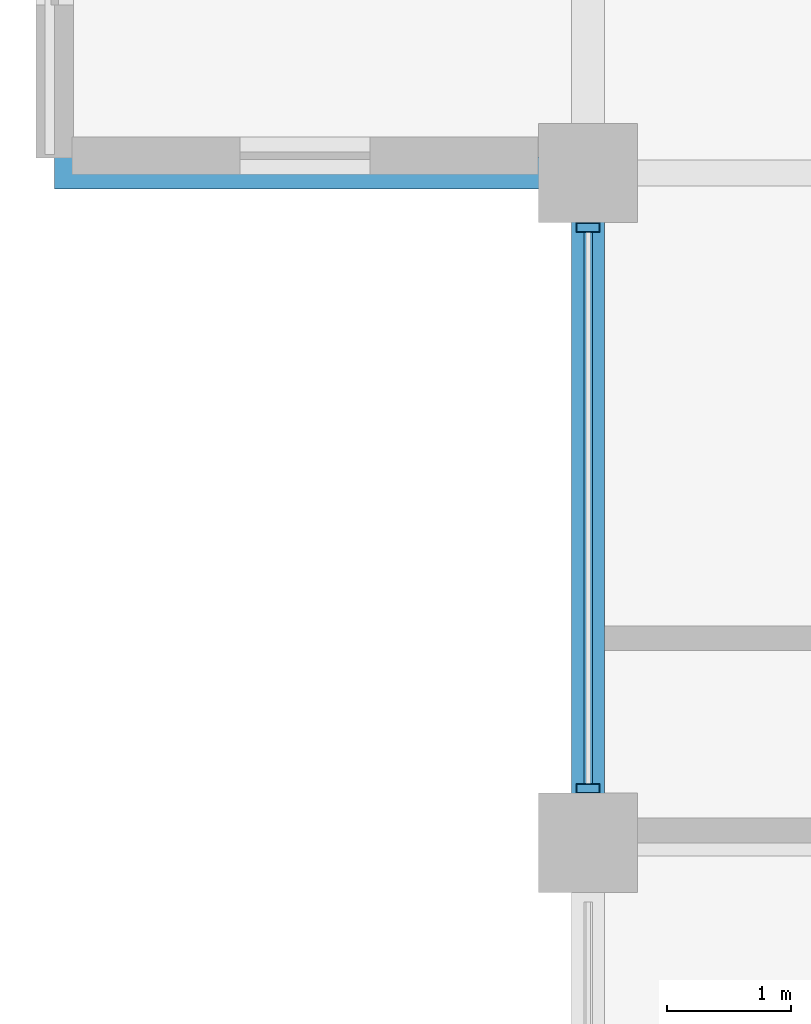
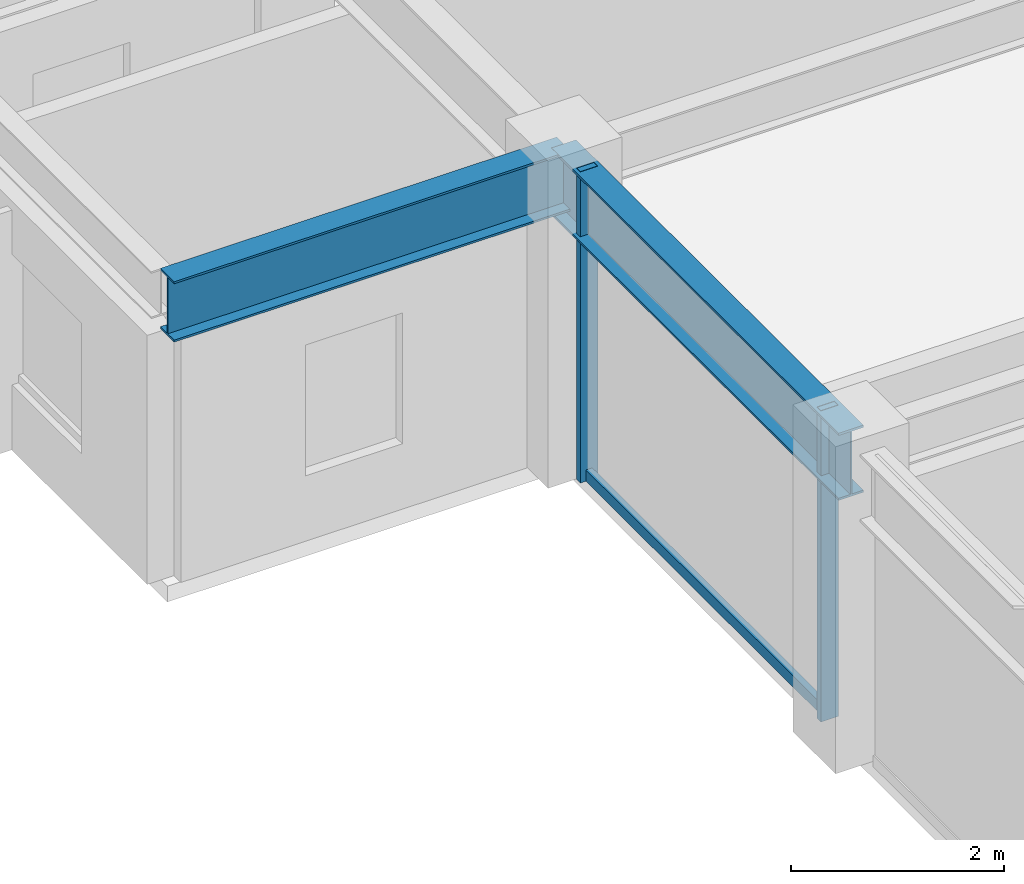
# One storey, part 5 of 28: 3 members, 2 beams, 1 element without a shape of its own.
"""IFC4 building model written with IfcOpenShell, lengths in metres."""

from ifc_helpers import new_model, si_unit, direction, frame, origin, origin_2d, place, context, subcontext, project, spatial, hollow_rectangle, i_section, extrude, material, layer, layer_set, material_profile, profile_set, type_object, element, aggregate, save


model = new_model("IFC4")

# Units and contexts
model_context = context("Model", 3, precision=1e-05, world=origin(), true_north=direction((0.0, 1.0)))
body_context = subcontext(model_context, "Body", "Model", "MODEL_VIEW")
ifc_project = project(units=[si_unit("LENGTHUNIT", "METRE"), si_unit("AREAUNIT", "SQUARE_METRE"), si_unit("VOLUMEUNIT", "CUBIC_METRE"), si_unit("PLANEANGLEUNIT", "RADIAN"), si_unit("MASSUNIT", "GRAM", prefix="KILO")], contexts=[model_context])

# Site, building, storey
site_placement = place(None, origin())
site = spatial("IfcSite", under=ifc_project, at=site_placement, CompositionType="ELEMENT")
building_placement = place(site_placement, origin())
building = spatial("IfcBuilding", under=site, at=building_placement, Name="Surkhivell Harbour Commons", CompositionType="ELEMENT")
storey_placement = place(building_placement, frame((0.0, 0.0, 242.25)))
storey = spatial("IfcBuildingStorey", under=building, at=storey_placement, Name="L63", CompositionType="ELEMENT", Elevation=242.25)

# Beams
ifc_material_1 = material(Name="Steel S460", Category="steel")
ifc_material_profile_1 = material_profile(ifc_material_1, i_section(OverallWidth=0.256103515625, OverallDepth=0.693115234375, WebThickness=0.014404296875, FlangeThickness=0.023681640625, at=origin_2d()), Name="UB686x254x170")
ifc_profile_set_1 = profile_set([ifc_material_profile_1], Name="Steel S460")
beam_type_1 = type_object("IfcBeamType", Name="BM-CNT-686", PredefinedType="BEAM", material=ifc_profile_set_1)
beam_1_placement = place(storey_placement, frame((-27.0, 0.0, 3.223388671875), z_axis=(-1.0, 0.0, 0.0), x_axis=(0.0, -1.0, 0.0)))
element("IfcBeam", 1, at=beam_1_placement, inside=storey, type_object=beam_type_1, Name="L63 Box Cantilever Outrigger (-27.0,0.0)", PredefinedType="BEAM", context=body_context, shape_type="SweptSolid", body=[
    extrude(i_section(OverallWidth=0.256103515625, OverallDepth=0.693115234375, WebThickness=0.014404296875, FlangeThickness=0.023681640625, at=origin_2d()), origin(), (0.0, 0.0, 1.0), 4.300048828125),
])
ifc_material_2 = material(Name="Steel S355", Category="steel")
ifc_material_profile_2 = material_profile(ifc_material_2, i_section(OverallWidth=0.26806640625, OverallDepth=0.77001953125, WebThickness=0.015625, FlangeThickness=0.025390625, at=origin_2d()), Name="UB762x267x197")
ifc_profile_set_2 = profile_set([ifc_material_profile_2], Name="Steel S355")
beam_type_2 = type_object("IfcBeamType", Name="BM-SPN-762", PredefinedType="SPANDREL", material=ifc_profile_set_2)
beam_2_placement = place(storey_placement, frame((-27.0, -5.39990234375, 3.18505859375), z_axis=(0.0, 1.0, 0.0), x_axis=(-1.0, 0.0, 0.0)))
element("IfcBeam", 2, at=beam_2_placement, inside=storey, type_object=beam_type_2, Name="L63 Tube Spandrel (-27.0,-5.4)", PredefinedType="SPANDREL", context=body_context, shape_type="SweptSolid", body=[
    extrude(i_section(OverallWidth=0.26806640625, OverallDepth=0.77001953125, WebThickness=0.015625, FlangeThickness=0.025390625, at=origin_2d()), origin(), (0.0, 0.0, 1.0), 5.39990234375),
])

# Curtain wall, members
ifc_material_3 = material(Name="Anodised pale-metal aluminium and insulated glazing", Category="aluminium")
ifc_layer = layer(ifc_material_3, 0.18994140625)
ifc_layer_set = layer_set([ifc_layer], Name="Anodised pale-metal aluminium and insulated glazing")
curtain_wall_type = type_object("IfcCurtainWallType", Name="CW-SYS-Z3", PredefinedType="NOTDEFINED", material=ifc_layer_set)
curtain_wall_placement = place(storey_placement, origin())
curtain_wall = element("IfcCurtainWall", 3, at=curtain_wall_placement, inside=storey, type_object=curtain_wall_type, Name="L63 Curtain Wall CW-L63-E12R1S1", PredefinedType="NOTDEFINED")
ifc_material_4 = material(Name="Anodised pale-metal aluminium alloy 6063-T6", Category="aluminium")
ifc_material_profile_3 = material_profile(ifc_material_4, hollow_rectangle(XDim=0.074951171875, YDim=0.18994140625, WallThickness=0.00390625, at=origin_2d()), Name="ALU-MULL-75x190")
ifc_profile_set_3 = profile_set([ifc_material_profile_3], Name="Anodised pale-metal aluminium alloy 6063-T6")
member_type_1 = type_object("IfcMemberType", Name="CWM-190", PredefinedType="MULLION", material=ifc_profile_set_3)
member_1_placement = place(storey_placement, frame((-27.0, -4.96044921875, 0.0), z_axis=(0.0, 0.0, 1.0), x_axis=(0.0, 1.0, 0.0)))
member_1 = element("IfcMember", 4, at=member_1_placement, type_object=member_type_1, Name="CW-Z3 mullion 2", PredefinedType="MULLION", context=body_context, shape_type="SweptSolid", body=[
    extrude(hollow_rectangle(XDim=0.074951171875, YDim=0.18994140625, WallThickness=0.00390625, at=origin_2d()), origin(), (0.0, 0.0, 1.0), 3.570068359375),
])
member_2_placement = place(storey_placement, frame((-27.0, -0.439453125, 0.0), z_axis=(0.0, 0.0, 1.0), x_axis=(0.0, 1.0, 0.0)))
member_2 = element("IfcMember", 5, at=member_2_placement, type_object=member_type_1, Name="CW-Z3 mullion 3", PredefinedType="MULLION", context=body_context, shape_type="SweptSolid", body=[
    extrude(hollow_rectangle(XDim=0.074951171875, YDim=0.18994140625, WallThickness=0.00390625, at=origin_2d()), origin(), (0.0, 0.0, 1.0), 3.570068359375),
])
ifc_material_5 = material(Name="Champagne anodised aluminium alloy 6063-T6", Category="aluminium")
ifc_material_profile_4 = material_profile(ifc_material_5, hollow_rectangle(XDim=0.070068359375, YDim=0.1298828125, WallThickness=0.00341796875, at=origin_2d()), Name="ALU-TRAN-70x130")
ifc_profile_set_4 = profile_set([ifc_material_profile_4], Name="Champagne anodised aluminium alloy 6063-T6")
member_type_2 = type_object("IfcMemberType", Name="CWT-130", PredefinedType="USERDEFINED", material=ifc_profile_set_4)
member_3_placement = place(storey_placement, frame((-27.0, -4.923095703125, 0.06494140625), z_axis=(0.0, 1.0, 0.0), x_axis=(-1.0, 0.0, 0.0)))
member_3 = element("IfcMember", 6, at=member_3_placement, type_object=member_type_2, Name="CW-Z3 transom 2.1", ObjectType="TRANSOM", PredefinedType="USERDEFINED", context=body_context, shape_type="SweptSolid", body=[
    extrude(hollow_rectangle(XDim=0.070068359375, YDim=0.1298828125, WallThickness=0.00341796875, at=origin_2d()), origin(), (0.0, 0.0, 1.0), 4.446044921875),
])
aggregate(curtain_wall, [member_1, member_2, member_3])

save(model, "model.ifc")
